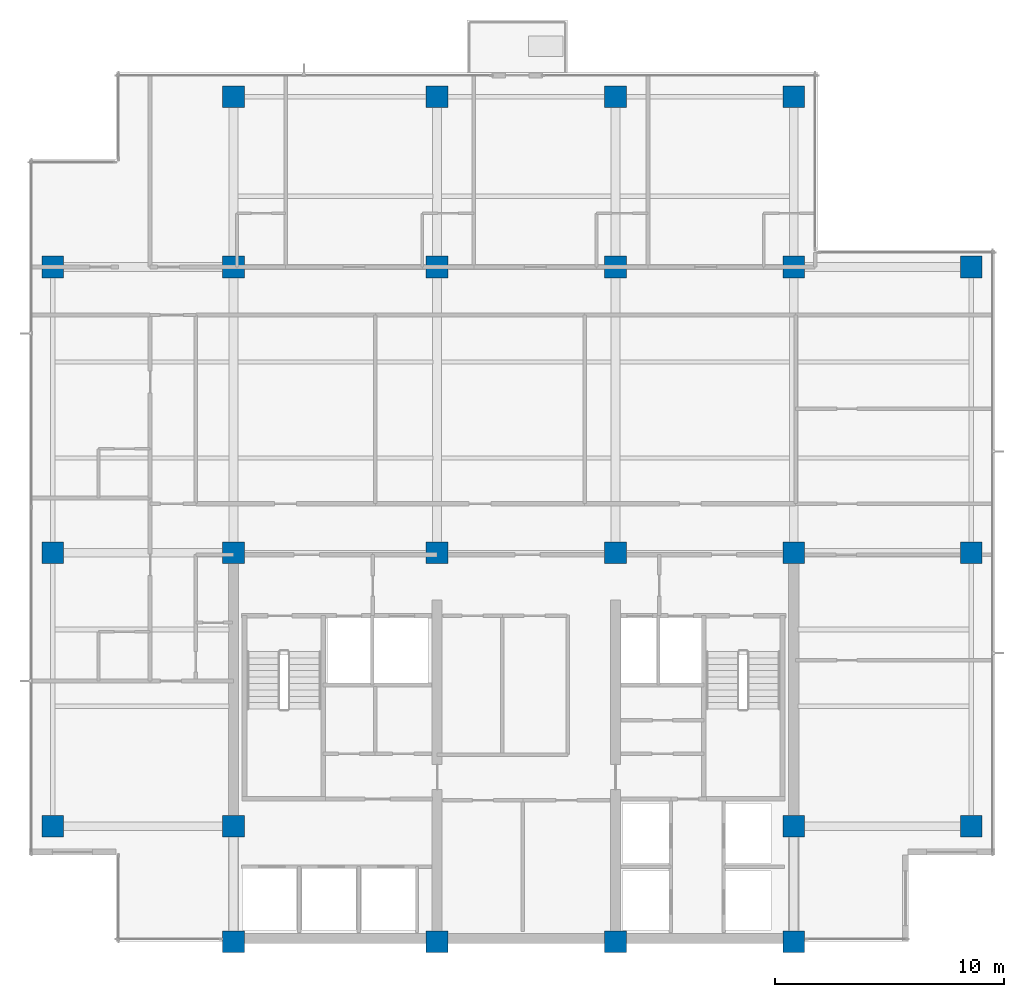
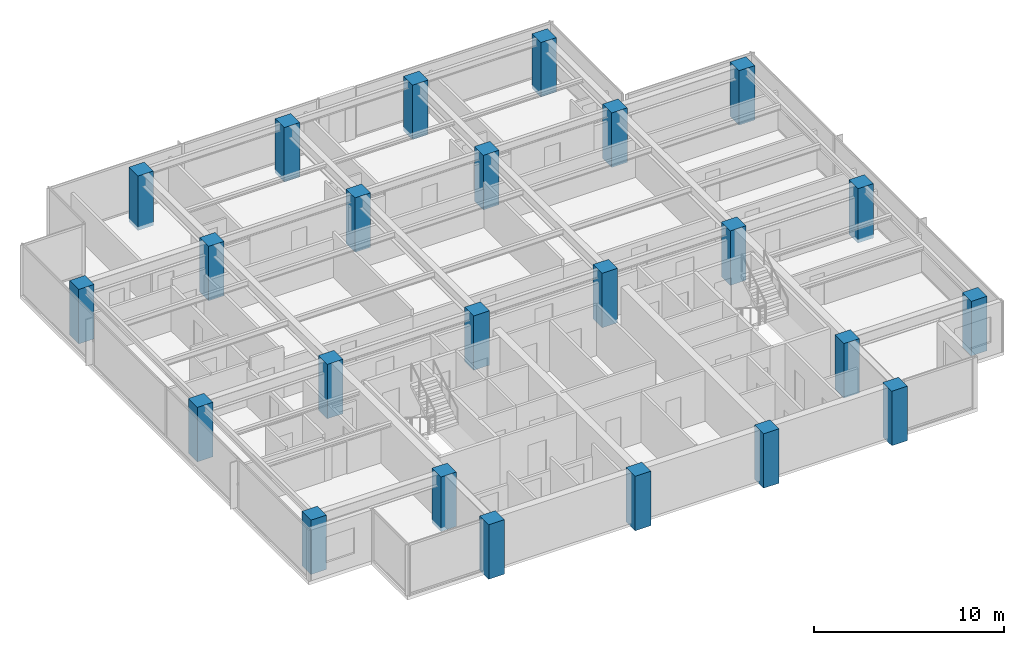
# One storey, part 1 of 15: 24 columns.
"""IFC4 building model written with IfcOpenShell, lengths in metres."""

from ifc_helpers import new_model, si_unit, direction, frame, origin, origin_2d, place, context, subcontext, project, spatial, rectangle, extrude, material, material_profile, profile_set, type_object, element, save


model = new_model("IFC4")

# Units and contexts
model_context = context("Model", 3, precision=1e-05, world=origin(), true_north=direction((0.0, 1.0)))
body_context = subcontext(model_context, "Body", "Model", "MODEL_VIEW")
ifc_project = project(units=[si_unit("LENGTHUNIT", "METRE"), si_unit("AREAUNIT", "SQUARE_METRE"), si_unit("VOLUMEUNIT", "CUBIC_METRE"), si_unit("PLANEANGLEUNIT", "RADIAN"), si_unit("MASSUNIT", "GRAM", prefix="KILO")], contexts=[model_context])

# Site, building, storey
site_placement = place(None, origin())
site = spatial("IfcSite", under=ifc_project, at=site_placement, CompositionType="ELEMENT")
building_placement = place(site_placement, origin())
building = spatial("IfcBuilding", under=site, at=building_placement, Name="Qalmaran Belvedere Hotel", CompositionType="ELEMENT")
storey_placement = place(building_placement, frame((0.0, 0.0, 214.39990234375)))
storey = spatial("IfcBuildingStorey", under=building, at=storey_placement, Name="L54", CompositionType="ELEMENT", Elevation=214.39990234375)

# Columns
ifc_material = material(Name="Concrete C50/60", Category="concrete")
ifc_material_profile = material_profile(ifc_material, rectangle(XDim=0.949951171875, YDim=0.949951171875, at=origin_2d()), Name="CC950X950")
ifc_profile_set = profile_set([ifc_material_profile], Name="Concrete C50/60")
column_type = type_object("IfcColumnType", Name="COL-Z4-CC950", PredefinedType="COLUMN", material=ifc_profile_set)
for number, where, z_axis, x_axis, name in (
    (1, (20.300048828125, 3.5, -0.239990234375), (0.0, 0.0, 1.0), (1.0, 0.0, 0.0), "L54 Column C4B"),
    (2, (29.199951171875, 3.5, -0.239990234375), (0.0, 0.0, 1.0), (1.0, 0.0, 0.0), "L54 Column C5B"),
    (3, (37.0, 3.5, -0.239990234375), (0.0, 0.0, 1.0), (1.0, 0.0, 0.0), "L54 Column C6B"),
    (4, (44.800048828125, 3.5, -0.239990234375), (0.0, 0.0, 1.0), (1.0, 0.0, 0.0), "L54 Column C7B"),
    (5, (20.300048828125, 8.550048828125, -0.239990234375), (0.0, 0.0, 1.0), (1.0, 0.0, 0.0), "L54 Column C4C"),
    (6, (44.800048828125, 8.550048828125, -0.239990234375), (0.0, 0.0, 1.0), (1.0, 0.0, 0.0), "L54 Column C7C"),
    (7, (20.300048828125, 20.5, -0.239990234375), (0.0, 0.0, 1.0), (1.0, 0.0, 0.0), "L54 Column C4D"),
    (8, (29.199951171875, 20.5, -0.239990234375), (0.0, 0.0, 1.0), (1.0, 0.0, 0.0), "L54 Column C5D"),
    (9, (37.0, 20.5, -0.239990234375), (0.0, 0.0, 1.0), (1.0, 0.0, 0.0), "L54 Column C6D"),
    (10, (44.800048828125, 20.5, -0.239990234375), (0.0, 0.0, 1.0), (1.0, 0.0, 0.0), "L54 Column C7D"),
    (11, (20.300048828125, 33.0, -0.239990234375), (0.0, 0.0, 1.0), (1.0, 0.0, 0.0), "L54 Column C4F"),
    (12, (29.199951171875, 33.0, -0.239990234375), (0.0, 0.0, 1.0), (1.0, 0.0, 0.0), "L54 Column C5F"),
    (13, (37.0, 33.0, -0.239990234375), (0.0, 0.0, 1.0), (1.0, 0.0, 0.0), "L54 Column C6F"),
    (14, (44.800048828125, 33.0, -0.239990234375), (0.0, 0.0, 1.0), (1.0, 0.0, 0.0), "L54 Column C7F"),
    (15, (12.39990234375, 8.550048828125, -0.239990234375), (0.0, 0.0, 1.0), (1.0, 0.0, 0.0), "L54 Column CW1"),
    (16, (12.39990234375, 20.5, -0.239990234375), (0.0, 0.0, 1.0), (1.0, 0.0, 0.0), "L54 Column CW3"),
    (17, (12.39990234375, 33.0, -0.239990234375), (0.0, 0.0, 1.0), (1.0, 0.0, 0.0), "L54 Column CW4"),
    (18, (52.550048828125, 8.550048828125, -0.239990234375), (0.0, 0.0, 1.0), (1.0, 0.0, 0.0), "L54 Column CE1"),
    (19, (52.550048828125, 20.5, -0.239990234375), (0.0, 0.0, 1.0), (1.0, 0.0, 0.0), "L54 Column CE3"),
    (20, (52.550048828125, 33.0, -0.239990234375), (0.0, 0.0, 1.0), (1.0, 0.0, 0.0), "L54 Column CE4"),
    (21, (20.300048828125, 40.449951171875, -0.239990234375), (0.0, 0.0, 1.0), (1.0, 0.0, 0.0), "L54 Column CN1"),
    (22, (29.199951171875, 40.449951171875, -0.239990234375), (0.0, 0.0, 1.0), (1.0, 0.0, 0.0), "L54 Column CN2"),
    (23, (37.0, 40.449951171875, -0.239990234375), (0.0, 0.0, 1.0), (1.0, 0.0, 0.0), "L54 Column CN3"),
    (24, (44.800048828125, 40.449951171875, -0.239990234375), (0.0, 0.0, 1.0), (1.0, 0.0, 0.0), "L54 Column CN4"),
):
    element("IfcColumn", number, at=place(storey_placement, frame(where, z_axis=z_axis, x_axis=x_axis)), inside=storey, type_object=column_type, Name=name, PredefinedType="COLUMN", context=body_context, shape_type="SweptSolid", body=[
        extrude(rectangle(XDim=0.949951171875, YDim=0.949951171875, at=origin_2d()), origin(), (0.0, 0.0, 1.0), 3.5),
    ])

save(model, "model.ifc")
